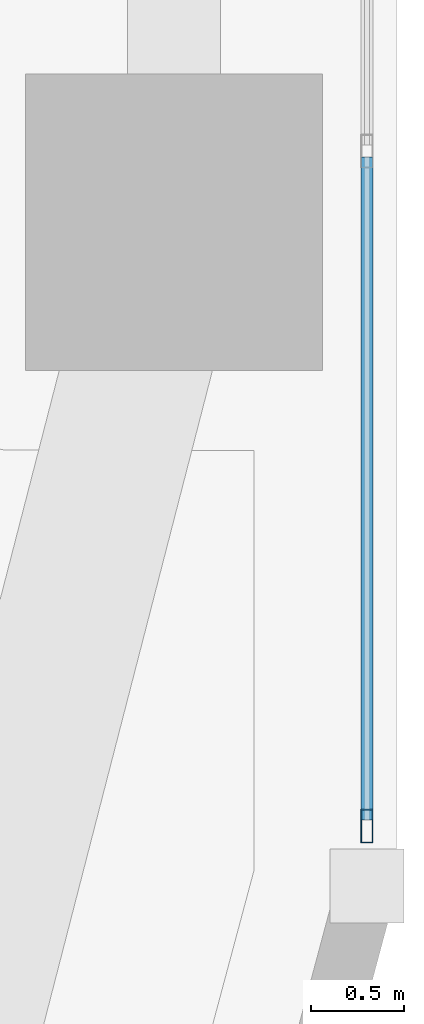
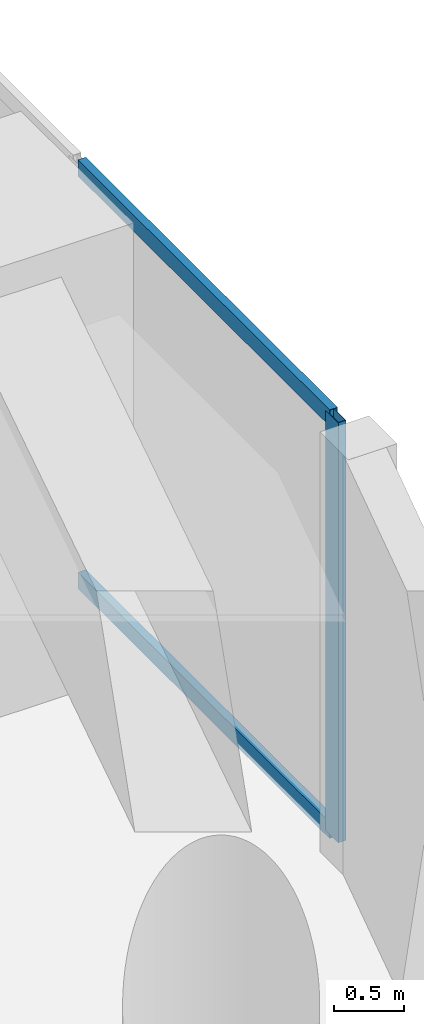
# One storey, part 4 of 29: 3 members, 1 element without a shape of its own.
"""IFC4 building model written with IfcOpenShell, lengths in metres."""

from ifc_helpers import new_model, si_unit, direction, frame, origin, origin_2d, place, context, subcontext, project, spatial, hollow_rectangle, extrude, material, layer, layer_set, material_profile, profile_set, type_object, element, aggregate, save


model = new_model("IFC4")

# Units and contexts
model_context = context("Model", 3, precision=1e-05, world=origin(), true_north=direction((0.0, 1.0)))
body_context = subcontext(model_context, "Body", "Model", "MODEL_VIEW")
ifc_project = project(units=[si_unit("LENGTHUNIT", "METRE"), si_unit("AREAUNIT", "SQUARE_METRE"), si_unit("VOLUMEUNIT", "CUBIC_METRE"), si_unit("PLANEANGLEUNIT", "RADIAN"), si_unit("MASSUNIT", "GRAM", prefix="KILO")], contexts=[model_context])

# Site, building, storey
site_placement = place(None, origin())
site = spatial("IfcSite", under=ifc_project, at=site_placement, CompositionType="ELEMENT")
building_placement = place(site_placement, origin())
building = spatial("IfcBuilding", under=site, at=building_placement, Name="Kiyonajd Concourse Tower", CompositionType="ELEMENT")
storey_placement = place(building_placement, frame((0.0, 0.0, 52.800048828125)))
storey = spatial("IfcBuildingStorey", under=building, at=storey_placement, Name="L14", CompositionType="ELEMENT", Elevation=52.800048828125)

# Curtain wall, members
ifc_material = material(Name="Thermally Broken Anodised Aluminium", Category="aluminium")
ifc_layer = layer(ifc_material, 0.179931640625)
ifc_layer_set = layer_set([ifc_layer], Name="Thermally Broken Anodised Aluminium")
curtain_wall_type = type_object("IfcCurtainWallType", Name="CW-SYS-02", PredefinedType="NOTDEFINED", material=ifc_layer_set)
curtain_wall_placement = place(storey_placement, origin())
curtain_wall = element("IfcCurtainWall", 1, at=curtain_wall_placement, inside=storey, type_object=curtain_wall_type, Name="L14 Unitised Curtain Wall CW2", PredefinedType="NOTDEFINED")
ifc_material_profile_1 = material_profile(ifc_material, hollow_rectangle(XDim=0.06494140625, YDim=0.179931640625, WallThickness=0.00390625, at=origin_2d()), Name="MULL-65x180")
ifc_profile_set_1 = profile_set([ifc_material_profile_1], Name="Thermally Broken Anodised Aluminium")
member_type_1 = type_object("IfcMemberType", Name="MB-CW-MULL1", PredefinedType="MULLION", material=ifc_profile_set_1)
member_1_placement = place(storey_placement, frame((79.0400390625, 15.343505859375, 0.0), z_axis=(0.0, 0.0, 1.0), x_axis=(1.0, 0.0, 0.0)))
member_1 = element("IfcMember", 2, at=member_1_placement, type_object=member_type_1, Name="CW2 mullion 7", PredefinedType="MULLION", context=body_context, shape_type="SweptSolid", body=[
    extrude(hollow_rectangle(XDim=0.06494140625, YDim=0.179931640625, WallThickness=0.00390625, at=origin_2d()), origin(), (0.0, 0.0, 1.0), 3.639892578125),
])
ifc_material_profile_2 = material_profile(ifc_material, hollow_rectangle(XDim=0.06494140625, YDim=0.139892578125, WallThickness=0.00390625, at=origin_2d()), Name="TRAN-65x140")
ifc_profile_set_2 = profile_set([ifc_material_profile_2], Name="Thermally Broken Anodised Aluminium")
member_type_2 = type_object("IfcMemberType", Name="MB-CW-TRAN1", PredefinedType="USERDEFINED", material=ifc_profile_set_2)
member_2_placement = place(storey_placement, frame((79.0400390625, 18.95166015625, 0.032470703125), z_axis=(0.0, -1.0, 0.0), x_axis=(1.0, 0.0, 0.0)))
member_2 = element("IfcMember", 3, at=member_2_placement, type_object=member_type_2, Name="CW2 transom 6.1", ObjectType="TRANSOM", PredefinedType="USERDEFINED", context=body_context, shape_type="SweptSolid", body=[
    extrude(hollow_rectangle(XDim=0.06494140625, YDim=0.139892578125, WallThickness=0.00390625, at=origin_2d()), origin(), (0.0, 0.0, 1.0), 3.575439453125),
])
member_3_placement = place(storey_placement, frame((79.0400390625, 18.95166015625, 3.607421875), z_axis=(0.0, -1.0, 0.0), x_axis=(1.0, 0.0, 0.0)))
member_3 = element("IfcMember", 4, at=member_3_placement, type_object=member_type_2, Name="CW2 transom 6.2", ObjectType="TRANSOM", PredefinedType="USERDEFINED", context=body_context, shape_type="SweptSolid", body=[
    extrude(hollow_rectangle(XDim=0.06494140625, YDim=0.139892578125, WallThickness=0.00390625, at=origin_2d()), origin(), (0.0, 0.0, 1.0), 3.575439453125),
])
aggregate(curtain_wall, [member_1, member_2, member_3])

save(model, "model.ifc")
